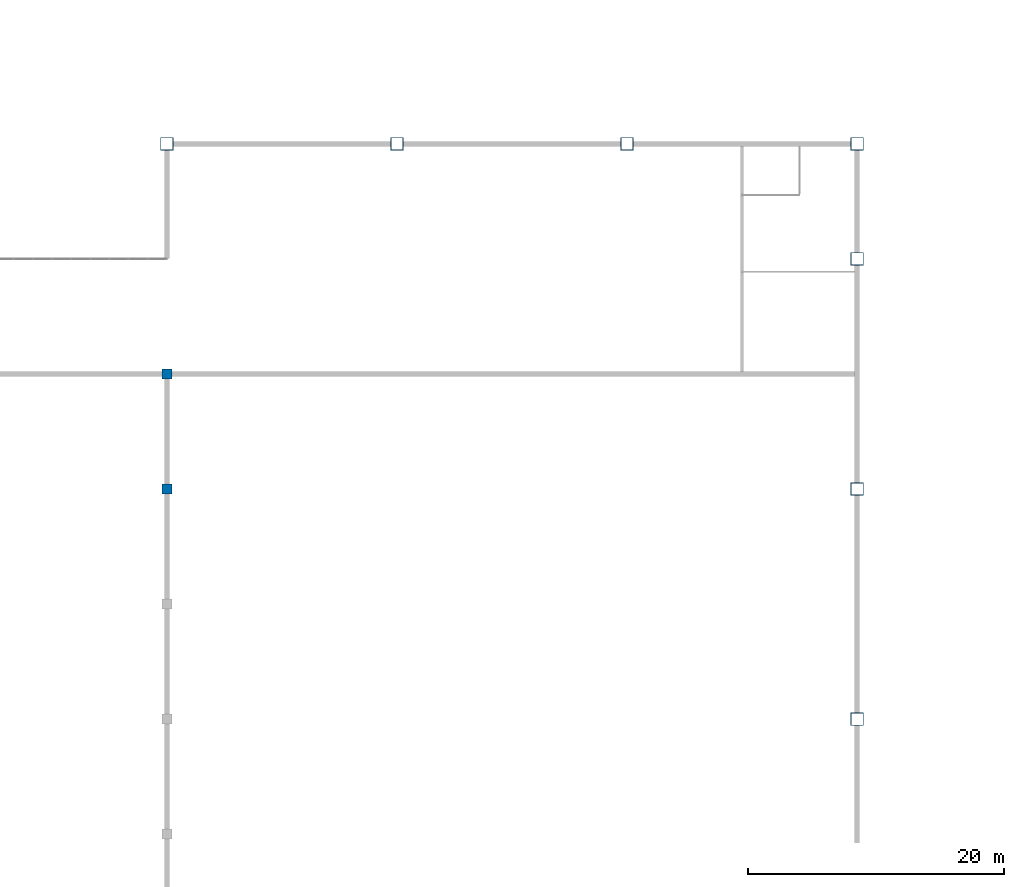
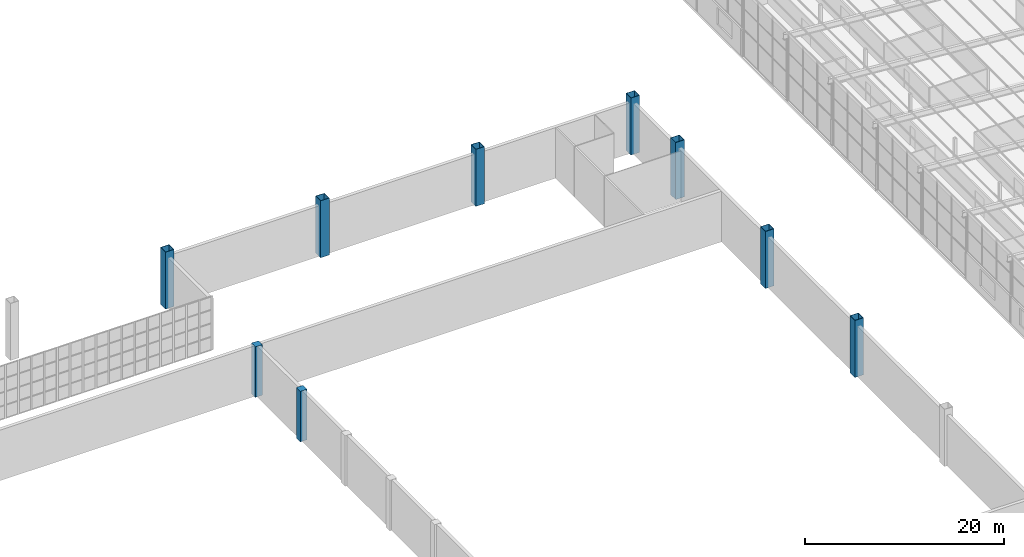
# One storey, part 6 of 85: 9 columns.
"""IFC4 building model written with IfcOpenShell, lengths in metres."""

import ifcopenshell
import ifcopenshell.guid

model = None  # the IFC model being written
_history = None  # IfcOwnerHistory: only IFC2X3 demands one
_inside = {}  # id of a spatial element -> (the spatial element, [elements in it])
_under = {}  # id of a project, library or spatial element -> (it, [spatial elements below it])
_declared = {}  # id of a project -> (the project, [libraries it declares])
_typed = {}  # id of a type object -> (the type object, [elements of that type])
_made_of = {}  # id of a material, layer set ... -> (it, [elements and type objects made of it])


def new_model(schema):
    """Start an empty IFC model of exactly this schema.

    Asked for "IFC4X3", IfcOpenShell would pick the latest addendum, in which some entities
    have other attributes; the version numbers below select the first issue.
    IFC2X3 requires an IfcOwnerHistory on every rooted entity: one is made here for all.
    """
    global model, _history
    if schema == "IFC4X3":
        model = ifcopenshell.file(schema_version=(4, 3, 0, 0))
    else:
        model = ifcopenshell.file(schema=schema)
    _inside.clear()
    _under.clear()
    _declared.clear()
    _typed.clear()
    _made_of.clear()
    _history = None
    if model.schema == "IFC2X3":
        org = make("IfcOrganization", Name="unknown")
        user = make(
            "IfcPersonAndOrganization",
            ThePerson=make("IfcPerson", FamilyName="unknown"),
            TheOrganization=org,
        )
        app = make(
            "IfcApplication",
            ApplicationDeveloper=org,
            Version="unknown",
            ApplicationFullName="unknown",
            ApplicationIdentifier="unknown",
        )
        _history = make(
            "IfcOwnerHistory",
            OwningUser=user,
            OwningApplication=app,
            ChangeAction="ADDED",
            CreationDate=0,
        )
    return model


def make(cls, **values):
    """One entity of the class cls with the attributes given. An attribute that is None is left unset."""
    return model.create_entity(
        cls, **{name: value for name, value in values.items() if value is not None}
    )


def rooted(cls, **values):
    """An entity with a GlobalId (a new one), such as an element, a storey or a relation."""
    return make(cls, GlobalId=ifcopenshell.guid.new(), OwnerHistory=_history, **values)


def si_unit(unit_type, name, prefix=None):
    """IfcSIUnit, for example si_unit("LENGTHUNIT", "METRE", prefix="MILLI")."""
    return make("IfcSIUnit", UnitType=unit_type, Prefix=prefix, Name=name)


def assignment(units):
    """IfcUnitAssignment: the units of a project."""
    return None if units is None else make("IfcUnitAssignment", Units=units)


def point(xyz):
    """IfcCartesianPoint."""
    return None if xyz is None else make("IfcCartesianPoint", Coordinates=xyz)


def direction(xyz):
    """IfcDirection."""
    return None if xyz is None else make("IfcDirection", DirectionRatios=xyz)


def frame(location, z_axis=None, x_axis=None):
    """IfcAxis2Placement3D, a coordinate frame: its origin and axes. An axis left out is left unset."""
    return make(
        "IfcAxis2Placement3D",
        Location=point(location),
        Axis=direction(z_axis),
        RefDirection=direction(x_axis),
    )


def frame_2d(location, x_axis=None):
    """IfcAxis2Placement2D, a coordinate frame in the plane: its origin and x axis."""
    return make(
        "IfcAxis2Placement2D", Location=point(location), RefDirection=direction(x_axis)
    )


def origin():
    """The frame at (0, 0, 0) with its axes left unset."""
    return frame((0.0, 0.0, 0.0))


def origin_2d():
    """The frame at (0, 0) in the plane with its x axis left unset."""
    return frame_2d((0.0, 0.0))


def place(relative_to, where):
    """IfcLocalPlacement: puts the frame where relative to a parent placement (None: the world)."""
    return make(
        "IfcLocalPlacement", PlacementRelTo=relative_to, RelativePlacement=where
    )


def context(
    kind, dimensions, precision=None, world=None, true_north=None, identifier=None
):
    """IfcGeometricRepresentationContext, for example the 3D "Model" context."""
    return make(
        "IfcGeometricRepresentationContext",
        ContextIdentifier=identifier,
        ContextType=kind,
        CoordinateSpaceDimension=dimensions,
        Precision=precision,
        WorldCoordinateSystem=world,
        TrueNorth=true_north,
    )


def subcontext(parent, identifier, kind, view, scale=None):
    """IfcGeometricRepresentationSubContext, for example "Body" below "Model"."""
    return make(
        "IfcGeometricRepresentationSubContext",
        ContextIdentifier=identifier,
        ContextType=kind,
        ParentContext=parent,
        TargetScale=scale,
        TargetView=view,
    )


def project(units=None, contexts=None):
    """IfcProject with its units and contexts."""
    return rooted(
        "IfcProject",
        Name="project",
        RepresentationContexts=contexts,
        UnitsInContext=assignment(units),
    )


def spatial(cls, under=None, at=None, **own):
    """A site, building, storey or space (cls), placed at a placement, below another one or the project."""
    s = rooted(cls, ObjectPlacement=at, **own)
    if under is not None:
        _under.setdefault(under.id(), (under, []))[1].append(s)
    return s


def profile(cls, at=None, kind="AREA", **sizes):
    """A parametric profile (cls). Its sizes go by their IFC names, for example OverallWidth=200.0."""
    return make(cls, ProfileType=kind, Position=at, **sizes)


def rectangle(**sizes):
    """IfcRectangleProfileDef."""
    return profile("IfcRectangleProfileDef", **sizes)


def hollow_rectangle(**sizes):
    """IfcRectangleHollowProfileDef."""
    return profile("IfcRectangleHollowProfileDef", **sizes)


def extrude(swept, where, along, depth):
    """IfcExtrudedAreaSolid: the profile swept, set in the frame where, extruded along a direction by depth."""
    return make(
        "IfcExtrudedAreaSolid",
        SweptArea=swept,
        Position=where,
        ExtrudedDirection=direction(along),
        Depth=depth,
    )


def shape(context_of_items, identifier, shape_type, items):
    """IfcShapeRepresentation: the items that make up one representation, for example the "Body"."""
    return make(
        "IfcShapeRepresentation",
        ContextOfItems=context_of_items,
        RepresentationIdentifier=identifier,
        RepresentationType=shape_type,
        Items=items,
    )


def material(Name=None, Category=None):
    """IfcMaterial."""
    return make("IfcMaterial", Name=Name, Category=Category)


def material_profile(
    of_material, cross_section, Name=None, Category=None, Priority=None
):
    """IfcMaterialProfile: a cross section and its material."""
    return make(
        "IfcMaterialProfile",
        Name=Name,
        Material=of_material,
        Profile=cross_section,
        Priority=Priority,
        Category=Category,
    )


def profile_set(profiles, Name=None, composite=None):
    """IfcMaterialProfileSet."""
    return make(
        "IfcMaterialProfileSet",
        Name=Name,
        MaterialProfiles=profiles,
        CompositeProfile=composite,
    )


def made_of(thing, what):
    """Note that an element or type object is made of a material, layer set ...; save() writes the relation."""
    if what is not None:
        _made_of.setdefault(what.id(), (what, []))[1].append(thing)
    return thing


def type_object(cls, material=None, **own):
    """A type object (cls), such as IfcWallType, which elements share."""
    return made_of(rooted(cls, **own), material)


def element(
    cls,
    number,
    at=None,
    inside=None,
    cuts=None,
    type_object=None,
    material=None,
    context=None,
    identifier="Body",
    shape_type=None,
    held_by="IfcProductDefinitionShape",
    body=None,
    shapes=None,
    **own,
):
    """One element of the class cls, such as IfcWall. Its Tag is "e" and its number.

    at: its placement. inside: the storey or other place that contains it. cuts: it is an
    opening in that element (IfcRelVoidsElement). A single representation is given by context,
    identifier, shape_type and body (its items); several are given by shapes. held_by: the class
    of the entity that holds the representations. save() writes the other relations.
    """
    e = rooted(cls, Tag="e%d" % number, ObjectPlacement=at, **own)
    if body is not None:
        shapes = [shape(context, identifier, shape_type, body)]
    if shapes is not None:
        e.Representation = make(held_by, Representations=shapes)
    if inside is not None:
        _inside.setdefault(inside.id(), (inside, []))[1].append(e)
    if cuts is not None:
        rooted(
            "IfcRelVoidsElement", RelatingBuildingElement=cuts, RelatedOpeningElement=e
        )
    if type_object is not None:
        _typed.setdefault(type_object.id(), (type_object, []))[1].append(e)
    return made_of(e, material)


def aggregate(whole, parts):
    """IfcRelAggregates: a whole, such as a stair, and the parts it consists of."""
    return rooted("IfcRelAggregates", RelatingObject=whole, RelatedObjects=parts)


def save(model, path):
    """Write the relations noted so far, then the file.

    IfcRelAggregates (storeys below a building ...), IfcRelContainedInSpatialStructure (elements
    in a storey), IfcRelDefinesByType, IfcRelAssociatesMaterial and IfcRelDeclares: one each for
    every whole, place, type object, material and project.
    """
    for whole, parts in _under.values():
        aggregate(whole, parts)
    for where, things in _inside.values():
        rooted(
            "IfcRelContainedInSpatialStructure",
            RelatedElements=things,
            RelatingStructure=where,
        )
    for kind, things in _typed.values():
        rooted("IfcRelDefinesByType", RelatedObjects=things, RelatingType=kind)
    for what, things in _made_of.values():
        rooted("IfcRelAssociatesMaterial", RelatedObjects=things, RelatingMaterial=what)
    for by, libraries in _declared.values():
        rooted("IfcRelDeclares", RelatingContext=by, RelatedDefinitions=libraries)
    model.write(path)


model = new_model("IFC4")

# Units and contexts
model_context = context("Model", 3, precision=1e-05, world=origin(), true_north=direction((0.0, 1.0)))
body_context = subcontext(model_context, "Body", "Model", "MODEL_VIEW")
ifc_project = project(units=[si_unit("LENGTHUNIT", "METRE"), si_unit("AREAUNIT", "SQUARE_METRE"), si_unit("VOLUMEUNIT", "CUBIC_METRE"), si_unit("PLANEANGLEUNIT", "RADIAN"), si_unit("MASSUNIT", "GRAM", prefix="KILO")], contexts=[model_context])

# Site, building, storey
site_placement = place(None, origin())
site = spatial("IfcSite", under=ifc_project, at=site_placement, CompositionType="ELEMENT")
building_placement = place(site_placement, origin())
building = spatial("IfcBuilding", under=site, at=building_placement, Name="Opaline Strait Convention Centre", CompositionType="ELEMENT")
storey_placement = place(building_placement, frame((0.0, 0.0, 17.0)))
storey = spatial("IfcBuildingStorey", under=building, at=storey_placement, Name="L03", CompositionType="ELEMENT", Elevation=17.0)

# Columns
ifc_material_1 = material(Name="Steel Q355B", Category="steel")
ifc_material_profile_1 = material_profile(ifc_material_1, hollow_rectangle(XDim=1.0, YDim=1.0, WallThickness=0.031982421875, at=origin_2d()), Name="BOX 1000x1000x32")
ifc_profile_set_1 = profile_set([ifc_material_profile_1], Name="Steel Q355B")
column_type_1 = type_object("IfcColumnType", Name="CFT column BOX 1000x1000x32 C60 fill", PredefinedType="COLUMN", material=ifc_profile_set_1)
for number, where, z_axis, x_axis, name in (
    (1, (207.0, 153.0, 0.0), (0.0, 0.0, 1.0), (1.0, 0.0, 0.0), "Roof column XC-19"),
    (2, (225.0, 153.0, 0.0), (0.0, 0.0, 1.0), (1.0, 0.0, 0.0), "Roof column XC-21"),
    (3, (243.0, 153.0, 0.0), (0.0, 0.0, 1.0), (1.0, 0.0, 0.0), "Roof column XC-23"),
    (4, (261.0, 108.0, 0.0), (0.0, 0.0, 1.0), (1.0, 0.0, 0.0), "Roof column XC-27"),
    (5, (261.0, 126.0, 0.0), (0.0, 0.0, 1.0), (1.0, 0.0, 0.0), "Roof column XC-28"),
    (6, (261.0, 144.0, 0.0), (0.0, 0.0, 1.0), (1.0, 0.0, 0.0), "Roof column XC-29"),
    (7, (261.0, 153.0, 0.0), (0.0, 0.0, 1.0), (1.0, 0.0, 0.0), "Roof column XC-30"),
):
    element("IfcColumn", number, at=place(storey_placement, frame(where, z_axis=z_axis, x_axis=x_axis)), inside=storey, type_object=column_type_1, Name=name, ObjectType="XC1", PredefinedType="COLUMN", context=body_context, shape_type="SweptSolid", body=[
        extrude(hollow_rectangle(XDim=1.0, YDim=1.0, WallThickness=0.031982421875, at=origin_2d()), origin(), (0.0, 0.0, 1.0), 7.0),
    ])
ifc_material_2 = material(Name="Concrete C40", Category="concrete")
ifc_material_profile_2 = material_profile(ifc_material_2, rectangle(XDim=0.800048828125, YDim=0.800048828125, at=origin_2d()), Name="RC 800x800")
ifc_profile_set_2 = profile_set([ifc_material_profile_2], Name="Concrete C40")
column_type_2 = type_object("IfcColumnType", Name="RC column 800x800 C40", PredefinedType="COLUMN", material=ifc_profile_set_2)
for number, where, z_axis, x_axis, name in (
    (8, (207.0, 126.0, 0.0), (0.0, 0.0, 1.0), (1.0, 0.0, 0.0), "Fire wall pilaster above L03"),
    (9, (207.0, 135.0, 0.0), (0.0, 0.0, 1.0), (1.0, 0.0, 0.0), "Fire wall pilaster above L03"),
):
    element("IfcColumn", number, at=place(storey_placement, frame(where, z_axis=z_axis, x_axis=x_axis)), inside=storey, type_object=column_type_2, Name=name, ObjectType="XC2", PredefinedType="COLUMN", context=body_context, shape_type="SweptSolid", body=[
        extrude(rectangle(XDim=0.800048828125, YDim=0.800048828125, at=origin_2d()), origin(), (0.0, 0.0, 1.0), 6.199951171875),
    ])

save(model, "model.ifc")
